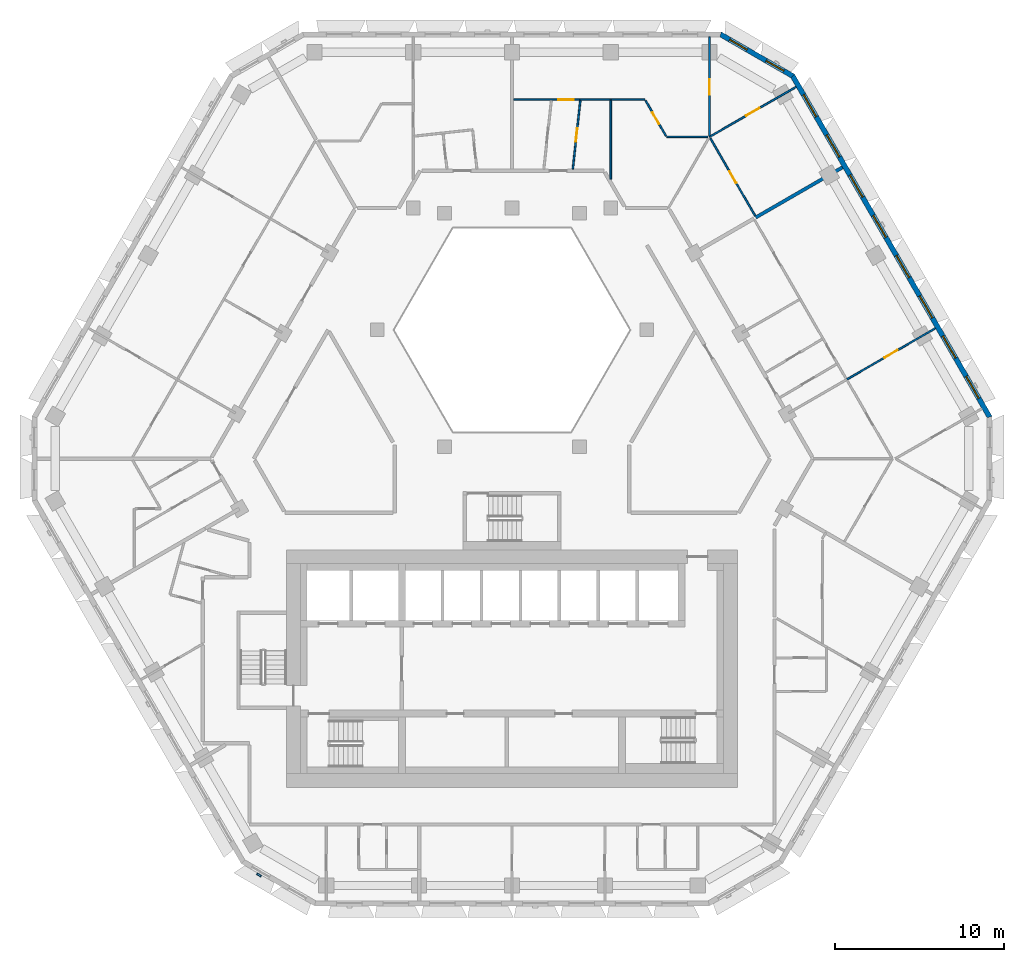
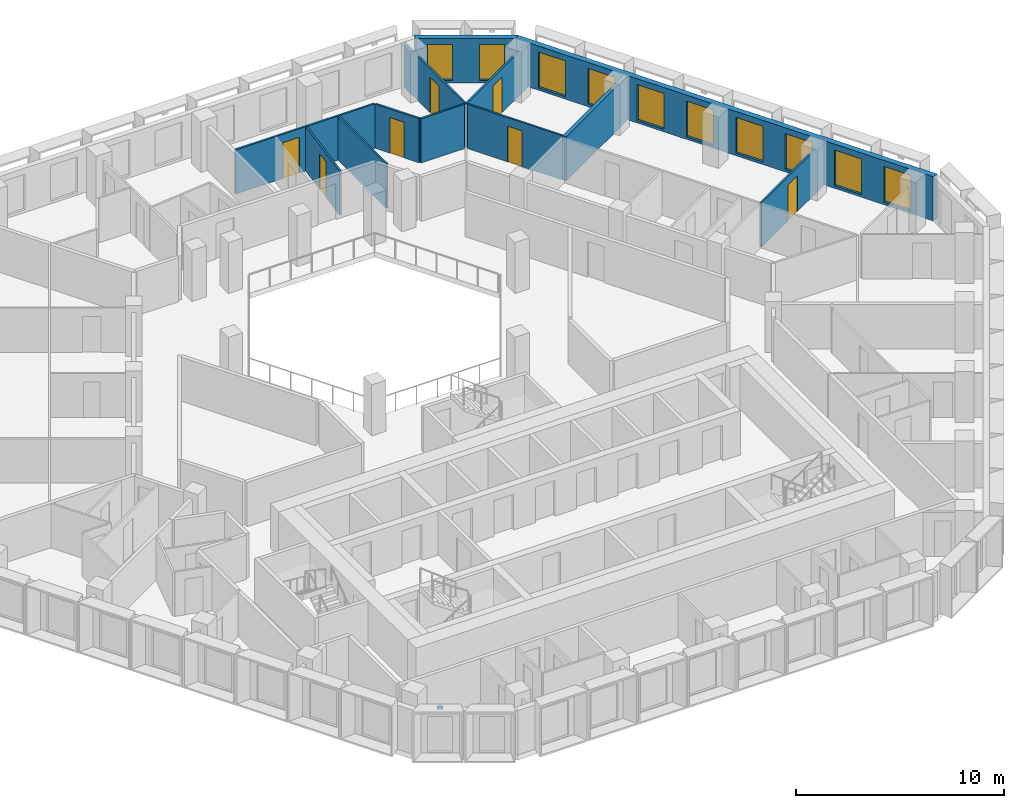
# One storey, part 9 of 17: 12 walls, 10 windows, 7 doors, 1 discrete accessory, 17 openings.
"""IFC4 building model written with IfcOpenShell, lengths in metres."""

from ifc_helpers import new_model, si_unit, direction, frame, frame_2d, origin, place, context, subcontext, project, spatial, polyline, rectangle, outline, extrude, source, transform, mapped, material, layer, layer_set, type_object, type_shapes, element, fill, save


model = new_model("IFC4")

# Units and contexts
model_context = context("Model", 3, precision=1e-05, world=origin(), true_north=direction((0.0, 1.0)))
body_context = subcontext(model_context, "Body", "Model", "MODEL_VIEW")
ifc_project = project(units=[si_unit("LENGTHUNIT", "METRE"), si_unit("AREAUNIT", "SQUARE_METRE"), si_unit("VOLUMEUNIT", "CUBIC_METRE"), si_unit("PLANEANGLEUNIT", "RADIAN"), si_unit("MASSUNIT", "GRAM", prefix="KILO")], contexts=[model_context])

# Site, building, storey
site_placement = place(None, origin())
site = spatial("IfcSite", under=ifc_project, at=site_placement, CompositionType="ELEMENT")
building_placement = place(site_placement, origin())
building = spatial("IfcBuilding", under=site, at=building_placement, Name="Beryl Residences", CompositionType="ELEMENT")
storey_placement = place(building_placement, frame((0.0, 0.0, 150.60009765625)))
storey = spatial("IfcBuildingStorey", under=building, at=storey_placement, Name="L46", CompositionType="ELEMENT", Elevation=150.60009765625)

# Wall, openings, windows
ifc_material_1 = material(Name="Composite metal panel with mineral wool insulation")
ifc_layer_1 = layer(ifc_material_1, 0.300048828125)
ifc_layer_set_1 = layer_set([ifc_layer_1], Name="ES1 pale metal composite panel wall 300 mm")
wall_type_1 = type_object("IfcWallType", Name="ES1 pale metal composite panel wall 300 mm", PredefinedType="SOLIDWALL", material=ifc_layer_set_1)
wall_1_placement = place(storey_placement, frame((28.218017578125, 2.824951171875, 0.0), z_axis=(0.0, 0.0, 1.0), x_axis=(-0.500020536353, 0.866013546791, 0.0)))
wall_1 = element("IfcWall", 1, at=wall_1_placement, inside=storey, type_object=wall_type_1, Name="ES1 external wall L46 NE", PredefinedType="SOLIDWALL", context=body_context, shape_type="SweptSolid", body=[
    extrude(outline(polyline([(0.0, -0.14990234375), (23.3251953125, -0.14990234375), (23.244873046875, 0.14990234375), (0.080322265625, 0.14990234375), (0.0, -0.14990234375)])), origin(), (0.0, 0.0, 1.0), 2.599853515625),
])
opening_1_placement = place(wall_1_placement, frame((1.31396484375, 0.0, 0.14990234375)))
opening_1 = element("IfcOpeningElement", 2, at=opening_1_placement, cuts=wall_1, Name="Opening W1", PredefinedType="OPENING", context=body_context, shape_type="SweptSolid", body=[
    extrude(rectangle(XDim=1.5, YDim=2.10009765625, at=frame_2d((0.75, 1.050048828125))), frame((0.0, 0.159912109375, 0.0), z_axis=(0.0, -1.0, 0.0), x_axis=(1.0, 0.0, 0.0)), (0.0, 0.0, 1.0), 0.320068359375),
])
opening_2_placement = place(wall_1_placement, frame((4.055908203125, 0.0, 0.14990234375)))
opening_2 = element("IfcOpeningElement", 3, at=opening_2_placement, cuts=wall_1, Name="Opening W1", PredefinedType="OPENING", context=body_context, shape_type="SweptSolid", body=[
    extrude(rectangle(XDim=1.5, YDim=2.10009765625, at=frame_2d((0.75, 1.050048828125))), frame((0.0, 0.159912109375, 0.0), z_axis=(0.0, -1.0, 0.0), x_axis=(1.0, 0.0, 0.0)), (0.0, 0.0, 1.0), 0.320068359375),
])
opening_3_placement = place(wall_1_placement, frame((6.798095703125, 0.0, 0.14990234375)))
opening_3 = element("IfcOpeningElement", 4, at=opening_3_placement, cuts=wall_1, Name="Opening W1", PredefinedType="OPENING", context=body_context, shape_type="SweptSolid", body=[
    extrude(rectangle(XDim=1.5, YDim=2.10009765625, at=frame_2d((0.75, 1.050048828125))), frame((0.0, 0.159912109375, 0.0), z_axis=(0.0, -1.0, 0.0), x_axis=(1.0, 0.0, 0.0)), (0.0, 0.0, 1.0), 0.320068359375),
])
opening_4_placement = place(wall_1_placement, frame((9.541015625, 0.0, 0.14990234375)))
opening_4 = element("IfcOpeningElement", 5, at=opening_4_placement, cuts=wall_1, Name="Opening W1", PredefinedType="OPENING", context=body_context, shape_type="SweptSolid", body=[
    extrude(rectangle(XDim=1.5, YDim=2.10009765625, at=frame_2d((0.75, 1.050048828125))), frame((0.0, 0.159912109375, 0.0), z_axis=(0.0, -1.0, 0.0), x_axis=(1.0, 0.0, 0.0)), (0.0, 0.0, 1.0), 0.320068359375),
])
opening_5_placement = place(wall_1_placement, frame((12.283935546875, 0.0, 0.14990234375)))
opening_5 = element("IfcOpeningElement", 6, at=opening_5_placement, cuts=wall_1, Name="Opening W1", PredefinedType="OPENING", context=body_context, shape_type="SweptSolid", body=[
    extrude(rectangle(XDim=1.5, YDim=2.10009765625, at=frame_2d((0.75, 1.050048828125))), frame((0.0, 0.159912109375, 0.0), z_axis=(0.0, -1.0, 0.0), x_axis=(1.0, 0.0, 0.0)), (0.0, 0.0, 1.0), 0.320068359375),
])
opening_6_placement = place(wall_1_placement, frame((15.027099609375, 0.0, 0.14990234375)))
opening_6 = element("IfcOpeningElement", 7, at=opening_6_placement, cuts=wall_1, Name="Opening W1", PredefinedType="OPENING", context=body_context, shape_type="SweptSolid", body=[
    extrude(rectangle(XDim=1.5, YDim=2.10009765625, at=frame_2d((0.75, 1.050048828125))), frame((0.0, 0.159912109375, 0.0), z_axis=(0.0, -1.0, 0.0), x_axis=(1.0, 0.0, 0.0)), (0.0, 0.0, 1.0), 0.320068359375),
])
opening_7_placement = place(wall_1_placement, frame((17.76904296875, 0.0, 0.14990234375)))
opening_7 = element("IfcOpeningElement", 8, at=opening_7_placement, cuts=wall_1, Name="Opening W1", PredefinedType="OPENING", context=body_context, shape_type="SweptSolid", body=[
    extrude(rectangle(XDim=1.5, YDim=2.10009765625, at=frame_2d((0.75, 1.050048828125))), frame((0.0, 0.159912109375, 0.0), z_axis=(0.0, -1.0, 0.0), x_axis=(1.0, 0.0, 0.0)), (0.0, 0.0, 1.0), 0.320068359375),
])
opening_8_placement = place(wall_1_placement, frame((20.510986328125, 0.0, 0.14990234375)))
opening_8 = element("IfcOpeningElement", 9, at=opening_8_placement, cuts=wall_1, Name="Opening W1", PredefinedType="OPENING", context=body_context, shape_type="SweptSolid", body=[
    extrude(rectangle(XDim=1.5, YDim=2.10009765625, at=frame_2d((0.75, 1.050048828125))), frame((0.0, 0.159912109375, 0.0), z_axis=(0.0, -1.0, 0.0), x_axis=(1.0, 0.0, 0.0)), (0.0, 0.0, 1.0), 0.320068359375),
])
ifc_material_2 = material(Name="Aluminium and clear glass", Category="aluminium")
window_type_1 = type_object("IfcWindowType", Name="W1 cell window 1500 x 2100 mm", PartitioningType="SINGLE_PANEL", PredefinedType="WINDOW", material=ifc_material_2)
window_1_placement = place(opening_1_placement, origin())
window_1 = element("IfcWindow", 10, at=window_1_placement, inside=storey, type_object=window_type_1, Name="W1 window L46 NE 1", OverallHeight=2.10009765625, OverallWidth=1.5, PartitioningType="SINGLE_PANEL", PredefinedType="WINDOW", context=body_context, shape_type="SweptSolid", body=[
    extrude(rectangle(XDim=1.5, YDim=2.10009765625, at=frame_2d((0.75, 1.050048828125))), frame((0.0, 0.030029296875, 0.0), z_axis=(0.0, -1.0, 0.0), x_axis=(1.0, 0.0, 0.0)), (0.0, 0.0, 1.0), 0.06005859375),
])
fill(opening_1, window_1)
window_2_placement = place(opening_2_placement, origin())
window_2 = element("IfcWindow", 11, at=window_2_placement, inside=storey, type_object=window_type_1, Name="W1 window L46 NE 2", OverallHeight=2.10009765625, OverallWidth=1.5, PartitioningType="SINGLE_PANEL", PredefinedType="WINDOW", context=body_context, shape_type="SweptSolid", body=[
    extrude(rectangle(XDim=1.5, YDim=2.10009765625, at=frame_2d((0.75, 1.050048828125))), frame((0.0, 0.030029296875, 0.0), z_axis=(0.0, -1.0, 0.0), x_axis=(1.0, 0.0, 0.0)), (0.0, 0.0, 1.0), 0.06005859375),
])
fill(opening_2, window_2)
window_3_placement = place(opening_3_placement, origin())
window_3 = element("IfcWindow", 12, at=window_3_placement, inside=storey, type_object=window_type_1, Name="W1 window L46 NE 3", OverallHeight=2.10009765625, OverallWidth=1.5, PartitioningType="SINGLE_PANEL", PredefinedType="WINDOW", context=body_context, shape_type="SweptSolid", body=[
    extrude(rectangle(XDim=1.5, YDim=2.10009765625, at=frame_2d((0.75, 1.050048828125))), frame((0.0, 0.030029296875, 0.0), z_axis=(0.0, -1.0, 0.0), x_axis=(1.0, 0.0, 0.0)), (0.0, 0.0, 1.0), 0.06005859375),
])
fill(opening_3, window_3)
window_4_placement = place(opening_4_placement, origin())
window_4 = element("IfcWindow", 13, at=window_4_placement, inside=storey, type_object=window_type_1, Name="W1 window L46 NE 4", OverallHeight=2.10009765625, OverallWidth=1.5, PartitioningType="SINGLE_PANEL", PredefinedType="WINDOW", context=body_context, shape_type="SweptSolid", body=[
    extrude(rectangle(XDim=1.5, YDim=2.10009765625, at=frame_2d((0.75, 1.050048828125))), frame((0.0, 0.030029296875, 0.0), z_axis=(0.0, -1.0, 0.0), x_axis=(1.0, 0.0, 0.0)), (0.0, 0.0, 1.0), 0.06005859375),
])
fill(opening_4, window_4)
window_5_placement = place(opening_5_placement, origin())
window_5 = element("IfcWindow", 14, at=window_5_placement, inside=storey, type_object=window_type_1, Name="W1 window L46 NE 5", OverallHeight=2.10009765625, OverallWidth=1.5, PartitioningType="SINGLE_PANEL", PredefinedType="WINDOW", context=body_context, shape_type="SweptSolid", body=[
    extrude(rectangle(XDim=1.5, YDim=2.10009765625, at=frame_2d((0.75, 1.050048828125))), frame((0.0, 0.030029296875, 0.0), z_axis=(0.0, -1.0, 0.0), x_axis=(1.0, 0.0, 0.0)), (0.0, 0.0, 1.0), 0.06005859375),
])
fill(opening_5, window_5)
window_6_placement = place(opening_6_placement, origin())
window_6 = element("IfcWindow", 15, at=window_6_placement, inside=storey, type_object=window_type_1, Name="W1 window L46 NE 6", OverallHeight=2.10009765625, OverallWidth=1.5, PartitioningType="SINGLE_PANEL", PredefinedType="WINDOW", context=body_context, shape_type="SweptSolid", body=[
    extrude(rectangle(XDim=1.5, YDim=2.10009765625, at=frame_2d((0.75, 1.050048828125))), frame((0.0, 0.030029296875, 0.0), z_axis=(0.0, -1.0, 0.0), x_axis=(1.0, 0.0, 0.0)), (0.0, 0.0, 1.0), 0.06005859375),
])
fill(opening_6, window_6)
window_7_placement = place(opening_7_placement, origin())
window_7 = element("IfcWindow", 16, at=window_7_placement, inside=storey, type_object=window_type_1, Name="W1 window L46 NE 7", OverallHeight=2.10009765625, OverallWidth=1.5, PartitioningType="SINGLE_PANEL", PredefinedType="WINDOW", context=body_context, shape_type="SweptSolid", body=[
    extrude(rectangle(XDim=1.5, YDim=2.10009765625, at=frame_2d((0.75, 1.050048828125))), frame((0.0, 0.030029296875, 0.0), z_axis=(0.0, -1.0, 0.0), x_axis=(1.0, 0.0, 0.0)), (0.0, 0.0, 1.0), 0.06005859375),
])
fill(opening_7, window_7)
window_8_placement = place(opening_8_placement, origin())
window_8 = element("IfcWindow", 17, at=window_8_placement, inside=storey, type_object=window_type_1, Name="W1 window L46 NE 8", OverallHeight=2.10009765625, OverallWidth=1.5, PartitioningType="SINGLE_PANEL", PredefinedType="WINDOW", context=body_context, shape_type="SweptSolid", body=[
    extrude(rectangle(XDim=1.5, YDim=2.10009765625, at=frame_2d((0.75, 1.050048828125))), frame((0.0, 0.030029296875, 0.0), z_axis=(0.0, -1.0, 0.0), x_axis=(1.0, 0.0, 0.0)), (0.0, 0.0, 1.0), 0.06005859375),
])
fill(opening_8, window_8)

wall_2_placement = place(storey_placement, frame((16.610107421875, 22.969970703125, 0.0), z_axis=(0.0, 0.0, 1.0), x_axis=(-0.866022959057, 0.500004234368, 0.0)))
wall_2 = element("IfcWall", 18, at=wall_2_placement, inside=storey, type_object=wall_type_1, Name="ES1 external wall L46 NE-N", PredefinedType="SOLIDWALL", context=body_context, shape_type="SweptSolid", body=[
    extrude(outline(polyline([(0.0, -0.14990234375), (5.0, -0.14990234375), (4.919677734375, 0.14990234375), (0.080322265625, 0.14990234375), (0.0, -0.14990234375)])), origin(), (0.0, 0.0, 1.0), 2.599853515625),
])
opening_9_placement = place(wall_2_placement, frame((0.64990234375, 0.0, 0.14990234375)))
opening_9 = element("IfcOpeningElement", 19, at=opening_9_placement, cuts=wall_2, Name="Opening W2", PredefinedType="OPENING", context=body_context, shape_type="SweptSolid", body=[
    extrude(rectangle(XDim=1.199951171875, YDim=2.10009765625, at=frame_2d((0.60009765625, 1.050048828125))), frame((0.0, 0.159912109375, 0.0), z_axis=(0.0, -1.0, 0.0), x_axis=(1.0, 0.0, 0.0)), (0.0, 0.0, 1.0), 0.320068359375),
])
opening_10_placement = place(wall_2_placement, frame((3.14990234375, 0.0, 0.14990234375)))
opening_10 = element("IfcOpeningElement", 20, at=opening_10_placement, cuts=wall_2, Name="Opening W2", PredefinedType="OPENING", context=body_context, shape_type="SweptSolid", body=[
    extrude(rectangle(XDim=1.199951171875, YDim=2.10009765625, at=frame_2d((0.60009765625, 1.050048828125))), frame((0.0, 0.159912109375, 0.0), z_axis=(0.0, -1.0, 0.0), x_axis=(1.0, 0.0, 0.0)), (0.0, 0.0, 1.0), 0.320068359375),
])
ifc_material_3 = material(Name="Aluminium and clear glass", Category="aluminium")
window_type_2 = type_object("IfcWindowType", Name="W2 chamfer window 1200 x 2100 mm", PartitioningType="SINGLE_PANEL", PredefinedType="WINDOW", material=ifc_material_3)
window_9_placement = place(opening_9_placement, origin())
window_9 = element("IfcWindow", 21, at=window_9_placement, inside=storey, type_object=window_type_2, Name="W2 window L46 NE-N 1", OverallHeight=2.10009765625, OverallWidth=1.199951171875, PartitioningType="SINGLE_PANEL", PredefinedType="WINDOW", context=body_context, shape_type="SweptSolid", body=[
    extrude(rectangle(XDim=1.199951171875, YDim=2.10009765625, at=frame_2d((0.60009765625, 1.050048828125))), frame((0.0, 0.030029296875, 0.0), z_axis=(0.0, -1.0, 0.0), x_axis=(1.0, 0.0, 0.0)), (0.0, 0.0, 1.0), 0.06005859375),
])
fill(opening_9, window_9)
window_10_placement = place(opening_10_placement, origin())
window_10 = element("IfcWindow", 22, at=window_10_placement, inside=storey, type_object=window_type_2, Name="W2 window L46 NE-N 2", OverallHeight=2.10009765625, OverallWidth=1.199951171875, PartitioningType="SINGLE_PANEL", PredefinedType="WINDOW", context=body_context, shape_type="SweptSolid", body=[
    extrude(rectangle(XDim=1.199951171875, YDim=2.10009765625, at=frame_2d((0.60009765625, 1.050048828125))), frame((0.0, 0.030029296875, 0.0), z_axis=(0.0, -1.0, 0.0), x_axis=(1.0, 0.0, 0.0)), (0.0, 0.0, 1.0), 0.06005859375),
])
fill(opening_10, window_10)

# Wall, opening, door
ifc_material_4 = material(Name="Gypsum board partition on steel studs", Category="steel")
ifc_layer_2 = layer(ifc_material_4, 0.10009765625)
ifc_layer_set_2 = layer_set([ifc_layer_2], Name="PT1 partition 100 mm gypsum board on steel studs")
wall_type_2 = type_object("IfcWallType", Name="PT1 partition 100 mm gypsum board on steel studs", PredefinedType="PARTITIONING", material=ifc_layer_set_2)
wall_3_placement = place(storey_placement, frame((7.881103515625, 21.550048828125, 0.0), z_axis=(0.0, 0.0, 1.0), x_axis=(0.499821239653, -0.866128586522, 0.0)))
wall_3 = element("IfcWall", 23, at=wall_3_placement, inside=storey, type_object=wall_type_2, Name="Wall PT1 L46 002", PredefinedType="PARTITIONING", context=body_context, shape_type="SweptSolid", body=[
    extrude(rectangle(XDim=2.4248046875, YDim=0.10009765625, at=frame_2d((1.21240234375, 0.0))), origin(), (0.0, 0.0, 1.0), 2.599853515625),
])
opening_11_placement = place(wall_3_placement, frame((0.81201171875, 0.0, 0.0)))
opening_11 = element("IfcOpeningElement", 24, at=opening_11_placement, cuts=wall_3, Name="Opening D1135", PredefinedType="OPENING", context=body_context, shape_type="SweptSolid", body=[
    extrude(rectangle(XDim=0.800048828125, YDim=2.10009765625, at=frame_2d((0.39990234375, 1.050048828125))), frame((0.0, 0.06005859375, 0.0), z_axis=(0.0, -1.0, 0.0), x_axis=(1.0, 0.0, 0.0)), (0.0, 0.0, 1.0), 0.1201171875),
])
ifc_material_5 = material(Name="Timber door leaf", Category="wood")
door_type_1 = type_object("IfcDoorType", Name="D3 bathroom door 800 x 2100 mm", OperationType="SINGLE_SWING_LEFT", PredefinedType="DOOR", material=ifc_material_5)
door_1_placement = place(opening_11_placement, origin())
door_1 = element("IfcDoor", 25, at=door_1_placement, inside=storey, type_object=door_type_1, Name="Door D1135 L46 001", OperationType="SINGLE_SWING_LEFT", OverallHeight=2.10009765625, OverallWidth=0.800048828125, PredefinedType="DOOR", context=body_context, shape_type="SweptSolid", body=[
    extrude(rectangle(XDim=0.800048828125, YDim=2.10009765625, at=frame_2d((0.39990234375, 1.050048828125))), frame((0.0, 0.02490234375, 0.0), z_axis=(0.0, -1.0, 0.0), x_axis=(1.0, 0.0, 0.0)), (0.0, 0.0, 1.0), 0.050048828125),
])
fill(opening_11, door_1)

wall_4_placement = place(storey_placement, frame((11.712890625, 19.31298828125, 0.0), z_axis=(0.0, 0.0, 1.0), x_axis=(0.499945064984, -0.866057118208, 0.0)))
wall_4 = element("IfcWall", 26, at=wall_4_placement, inside=storey, type_object=wall_type_2, Name="Wall PT1 L46 004", PredefinedType="PARTITIONING", context=body_context, shape_type="SweptSolid", body=[
    extrude(rectangle(XDim=5.28466796875, YDim=0.10009765625, at=frame_2d((2.642333984375, 0.0))), origin(), (0.0, 0.0, 1.0), 2.599853515625),
])
opening_12_placement = place(wall_4_placement, frame((2.241943359375, 0.0, 0.0)))
opening_12 = element("IfcOpeningElement", 27, at=opening_12_placement, cuts=wall_4, Name="Opening D1137", PredefinedType="OPENING", context=body_context, shape_type="SweptSolid", body=[
    extrude(rectangle(XDim=0.800048828125, YDim=2.10009765625, at=frame_2d((0.39990234375, 1.050048828125))), frame((0.0, 0.06005859375, 0.0), z_axis=(0.0, -1.0, 0.0), x_axis=(1.0, 0.0, 0.0)), (0.0, 0.0, 1.0), 0.1201171875),
])
door_2_placement = place(opening_12_placement, origin())
door_2 = element("IfcDoor", 28, at=door_2_placement, inside=storey, type_object=door_type_1, Name="Door D1137 L46 001", OperationType="SINGLE_SWING_LEFT", OverallHeight=2.10009765625, OverallWidth=0.800048828125, PredefinedType="DOOR", context=body_context, shape_type="SweptSolid", body=[
    extrude(rectangle(XDim=0.800048828125, YDim=2.10009765625, at=frame_2d((0.39990234375, 1.050048828125))), frame((0.0, 0.02490234375, 0.0), z_axis=(0.0, -1.0, 0.0), x_axis=(1.0, 0.0, 0.0)), (0.0, 0.0, 1.0), 0.050048828125),
])
fill(opening_12, door_2)

# Wall
wall_5_placement = place(storey_placement, frame((9.1220703125, 19.39990234375, 0.0), z_axis=(0.0, 0.0, 1.0), x_axis=(1.0, 0.0, 0.0)))
element("IfcWall", 29, at=wall_5_placement, inside=storey, type_object=wall_type_2, Name="Wall PT1 L46 026", PredefinedType="PARTITIONING", context=body_context, shape_type="SweptSolid", body=[
    extrude(rectangle(XDim=2.43994140625, YDim=0.10009765625, at=frame_2d((1.219970703125, 0.0))), origin(), (0.0, 0.0, 1.0), 2.599853515625),
])

# Wall, opening, door
wall_6_placement = place(storey_placement, frame((0.10009765625, 21.60009765625, 0.0), z_axis=(0.0, 0.0, 1.0), x_axis=(1.0, 0.0, 0.0)))
wall_6 = element("IfcWall", 30, at=wall_6_placement, inside=storey, type_object=wall_type_2, Name="Wall PT1 L46 028", PredefinedType="PARTITIONING", context=body_context, shape_type="SweptSolid", body=[
    extrude(rectangle(XDim=7.751953125, YDim=0.10009765625, at=frame_2d((3.8759765625, 0.0))), origin(), (0.0, 0.0, 1.0), 2.599853515625),
])
opening_13_placement = place(wall_6_placement, frame((2.634033203125, 0.0, 0.0)))
opening_13 = element("IfcOpeningElement", 31, at=opening_13_placement, cuts=wall_6, Name="Opening D1133", PredefinedType="OPENING", context=body_context, shape_type="SweptSolid", body=[
    extrude(rectangle(XDim=0.89990234375, YDim=2.10009765625, at=frame_2d((0.449951171875, 1.050048828125))), frame((0.0, 0.06005859375, 0.0), z_axis=(0.0, -1.0, 0.0), x_axis=(1.0, 0.0, 0.0)), (0.0, 0.0, 1.0), 0.1201171875),
])
ifc_material_6 = material(Name="Timber door leaf", Category="wood")
door_type_2 = type_object("IfcDoorType", Name="D2 room door 900 x 2100 mm", OperationType="SINGLE_SWING_LEFT", PredefinedType="DOOR", material=ifc_material_6)
door_3_placement = place(opening_13_placement, origin())
door_3 = element("IfcDoor", 32, at=door_3_placement, inside=storey, type_object=door_type_2, Name="Door D1133 L46 001", OperationType="SINGLE_SWING_LEFT", OverallHeight=2.10009765625, OverallWidth=0.89990234375, PredefinedType="DOOR", context=body_context, shape_type="SweptSolid", body=[
    extrude(rectangle(XDim=0.89990234375, YDim=2.10009765625, at=frame_2d((0.449951171875, 1.050048828125))), frame((0.0, 0.02490234375, 0.0), z_axis=(0.0, -1.0, 0.0), x_axis=(1.0, 0.0, 0.0)), (0.0, 0.0, 1.0), 0.050048828125),
])
fill(opening_13, door_3)

wall_7_placement = place(storey_placement, frame((3.590087890625, 17.5, 0.0), z_axis=(0.0, 0.0, 1.0), x_axis=(0.108938463119, 0.994048495423, 0.0)))
wall_7 = element("IfcWall", 33, at=wall_7_placement, inside=storey, type_object=wall_type_2, Name="Wall PT1 L46 036", PredefinedType="PARTITIONING", context=body_context, shape_type="SweptSolid", body=[
    extrude(rectangle(XDim=4.07421875, YDim=0.10009765625, at=frame_2d((2.037109375, 0.0))), origin(), (0.0, 0.0, 1.0), 2.599853515625),
])
opening_14_placement = place(wall_7_placement, frame((1.612060546875, 0.0, 0.0)))
opening_14 = element("IfcOpeningElement", 34, at=opening_14_placement, cuts=wall_7, Name="Opening D1131", PredefinedType="OPENING", context=body_context, shape_type="SweptSolid", body=[
    extrude(rectangle(XDim=0.800048828125, YDim=2.10009765625, at=frame_2d((0.39990234375, 1.050048828125))), frame((0.0, 0.06005859375, 0.0), z_axis=(0.0, -1.0, 0.0), x_axis=(1.0, 0.0, 0.0)), (0.0, 0.0, 1.0), 0.1201171875),
])
door_4_placement = place(opening_14_placement, origin())
door_4 = element("IfcDoor", 35, at=door_4_placement, inside=storey, type_object=door_type_1, Name="Door D1131 L46 001", OperationType="SINGLE_SWING_LEFT", OverallHeight=2.10009765625, OverallWidth=0.800048828125, PredefinedType="DOOR", context=body_context, shape_type="SweptSolid", body=[
    extrude(rectangle(XDim=0.800048828125, YDim=2.10009765625, at=frame_2d((0.39990234375, 1.050048828125))), frame((0.0, 0.02490234375, 0.0), z_axis=(0.0, -1.0, 0.0), x_axis=(1.0, 0.0, 0.0)), (0.0, 0.0, 1.0), 0.050048828125),
])
fill(opening_14, door_4)

# Wall
wall_8_placement = place(storey_placement, frame((5.8310546875, 16.89990234375, 0.0), z_axis=(0.0, 0.0, 1.0), x_axis=(0.0, 1.0, 0.0)))
element("IfcWall", 36, at=wall_8_placement, inside=storey, type_object=wall_type_2, Name="Wall PT1 L46 039", PredefinedType="PARTITIONING", context=body_context, shape_type="SweptSolid", body=[
    extrude(rectangle(XDim=4.650146484375, YDim=0.10009765625, at=frame_2d((2.3251953125, 0.0))), origin(), (0.0, 0.0, 1.0), 2.599853515625),
])

# Wall, opening, door
wall_9_placement = place(storey_placement, frame((11.662109375, 19.4560546875, 0.0), z_axis=(0.0, 0.0, 1.0), x_axis=(0.0, 1.0, 0.0)))
wall_9 = element("IfcWall", 37, at=wall_9_placement, inside=storey, type_object=wall_type_2, Name="Wall PT1 L46 042", PredefinedType="PARTITIONING", context=body_context, shape_type="SweptSolid", body=[
    extrude(rectangle(XDim=5.843994140625, YDim=0.10009765625, at=frame_2d((2.921875, 0.0))), origin(), (0.0, 0.0, 1.0), 2.599853515625),
])
opening_15_placement = place(wall_9_placement, frame((2.443115234375, 0.0, 0.0)))
opening_15 = element("IfcOpeningElement", 38, at=opening_15_placement, cuts=wall_9, Name="Opening D1134", PredefinedType="OPENING", context=body_context, shape_type="SweptSolid", body=[
    extrude(rectangle(XDim=0.89990234375, YDim=2.10009765625, at=frame_2d((0.449951171875, 1.050048828125))), frame((0.0, 0.06005859375, 0.0), z_axis=(0.0, -1.0, 0.0), x_axis=(1.0, 0.0, 0.0)), (0.0, 0.0, 1.0), 0.1201171875),
])
door_5_placement = place(opening_15_placement, origin())
door_5 = element("IfcDoor", 39, at=door_5_placement, inside=storey, type_object=door_type_2, Name="Door D1134 L46 001", OperationType="SINGLE_SWING_RIGHT", OverallHeight=2.10009765625, OverallWidth=0.89990234375, PredefinedType="DOOR", context=body_context, shape_type="SweptSolid", body=[
    extrude(rectangle(XDim=0.89990234375, YDim=2.10009765625, at=frame_2d((0.449951171875, 1.050048828125))), frame((0.0, 0.02490234375, 0.0), z_axis=(0.0, -1.0, 0.0), x_axis=(1.0, 0.0, 0.0)), (0.0, 0.0, 1.0), 0.050048828125),
])
fill(opening_15, door_5)

wall_10_placement = place(storey_placement, frame((11.6630859375, 19.39990234375, 0.0), z_axis=(0.0, 0.0, 1.0), x_axis=(0.865941558533, 0.500145196124, 0.0)))
wall_10 = element("IfcWall", 40, at=wall_10_placement, inside=storey, type_object=wall_type_2, Name="Wall PT1 L46 056", PredefinedType="PARTITIONING", context=body_context, shape_type="SweptSolid", body=[
    extrude(rectangle(XDim=5.898681640625, YDim=0.10009765625, at=frame_2d((2.94921875, 0.0))), origin(), (0.0, 0.0, 1.0), 2.599853515625),
])
opening_16_placement = place(wall_10_placement, frame((2.4990234375, 0.0, 0.0)))
opening_16 = element("IfcOpeningElement", 41, at=opening_16_placement, cuts=wall_10, Name="Opening D1136", PredefinedType="OPENING", context=body_context, shape_type="SweptSolid", body=[
    extrude(rectangle(XDim=0.89990234375, YDim=2.10009765625, at=frame_2d((0.449951171875, 1.050048828125))), frame((0.0, 0.06005859375, 0.0), z_axis=(0.0, -1.0, 0.0), x_axis=(1.0, 0.0, 0.0)), (0.0, 0.0, 1.0), 0.1201171875),
])
door_6_placement = place(opening_16_placement, origin())
door_6 = element("IfcDoor", 42, at=door_6_placement, inside=storey, type_object=door_type_2, Name="Door D1136 L46 001", OperationType="SINGLE_SWING_RIGHT", OverallHeight=2.10009765625, OverallWidth=0.89990234375, PredefinedType="DOOR", context=body_context, shape_type="SweptSolid", body=[
    extrude(rectangle(XDim=0.89990234375, YDim=2.10009765625, at=frame_2d((0.449951171875, 1.050048828125))), frame((0.0, 0.02490234375, 0.0), z_axis=(0.0, -1.0, 0.0), x_axis=(1.0, 0.0, 0.0)), (0.0, 0.0, 1.0), 0.050048828125),
])
fill(opening_16, door_6)

wall_11_placement = place(storey_placement, frame((19.758056640625, 5.073974609375, 0.0), z_axis=(0.0, 0.0, 1.0), x_axis=(0.866007554612, 0.500030914399, 0.0)))
wall_11 = element("IfcWall", 43, at=wall_11_placement, inside=storey, type_object=wall_type_2, Name="Wall PT1 L46 059", PredefinedType="PARTITIONING", context=body_context, shape_type="SweptSolid", body=[
    extrude(rectangle(XDim=6.0517578125, YDim=0.10009765625, at=frame_2d((3.02587890625, 0.0))), origin(), (0.0, 0.0, 1.0), 2.599853515625),
])
opening_17_placement = place(wall_11_placement, frame((2.575927734375, 0.0, 0.0)))
opening_17 = element("IfcOpeningElement", 44, at=opening_17_placement, cuts=wall_11, Name="Opening D1124", PredefinedType="OPENING", context=body_context, shape_type="SweptSolid", body=[
    extrude(rectangle(XDim=0.89990234375, YDim=2.10009765625, at=frame_2d((0.449951171875, 1.050048828125))), frame((0.0, 0.06005859375, 0.0), z_axis=(0.0, -1.0, 0.0), x_axis=(1.0, 0.0, 0.0)), (0.0, 0.0, 1.0), 0.1201171875),
])
door_7_placement = place(opening_17_placement, origin())
door_7 = element("IfcDoor", 45, at=door_7_placement, inside=storey, type_object=door_type_2, Name="Door D1124 L46 001", OperationType="SINGLE_SWING_RIGHT", OverallHeight=2.10009765625, OverallWidth=0.89990234375, PredefinedType="DOOR", context=body_context, shape_type="SweptSolid", body=[
    extrude(rectangle(XDim=0.89990234375, YDim=2.10009765625, at=frame_2d((0.449951171875, 1.050048828125))), frame((0.0, 0.02490234375, 0.0), z_axis=(0.0, -1.0, 0.0), x_axis=(1.0, 0.0, 0.0)), (0.0, 0.0, 1.0), 0.050048828125),
])
fill(opening_17, door_7)

# Wall
ifc_material_7 = material(Name="Acoustic double stud gypsum board wall")
ifc_layer_3 = layer(ifc_material_7, 0.199951171875)
ifc_layer_set_3 = layer_set([ifc_layer_3], Name="PT3 party wall 200 mm acoustic double stud")
wall_type_3 = type_object("IfcWallType", Name="PT3 party wall 200 mm acoustic double stud", PredefinedType="PARTITIONING", material=ifc_layer_set_3)
wall_12_placement = place(storey_placement, frame((14.387939453125, 14.639892578125, 0.0), z_axis=(0.0, 0.0, 1.0), x_axis=(0.866044090212, 0.499967632761, 0.0)))
element("IfcWall", 46, at=wall_12_placement, inside=storey, type_object=wall_type_3, Name="Wall PT3 L46 012", PredefinedType="PARTITIONING", context=body_context, shape_type="SweptSolid", body=[
    extrude(rectangle(XDim=5.9189453125, YDim=0.199951171875, at=frame_2d((2.95947265625, 0.0))), origin(), (0.0, 0.0, 1.0), 2.599853515625),
])

# Discrete accessory
ifc_material_8 = material(Name="Steel S355", Category="steel")
discrete_accessory_type = type_object("IfcDiscreteAccessoryType", Name="BR1 frame bracket 300 x 120 x 150 mm", PredefinedType="BRACKET", material=ifc_material_8)
shared_shape = source(origin(), body_context, "Body", "SweptSolid", [
    extrude(outline(polyline([(-0.14990234375, 0.0), (0.14990234375, 0.0), (0.14990234375, 0.1201171875), (-0.14990234375, 0.1201171875), (-0.14990234375, 0.0)])), origin(), (0.0, 0.0, 1.0), 0.14990234375),
])
type_shapes(discrete_accessory_type, [shared_shape])
discrete_accessory_placement = place(storey_placement, frame((-14.909912109375, -24.125, 2.75), z_axis=(0.0, 0.0, 1.0), x_axis=(-0.866025403784, 0.5, 0.0)))
element("IfcDiscreteAccessory", 47, at=discrete_accessory_placement, inside=storey, type_object=discrete_accessory_type, Name="BR1 bracket L46 SW-S 1", PredefinedType="BRACKET", context=body_context, shape_type="MappedRepresentation", body=[
    mapped(shared_shape, transform((0.0, 0.0, 0.0))),
])

save(model, "model.ifc")
